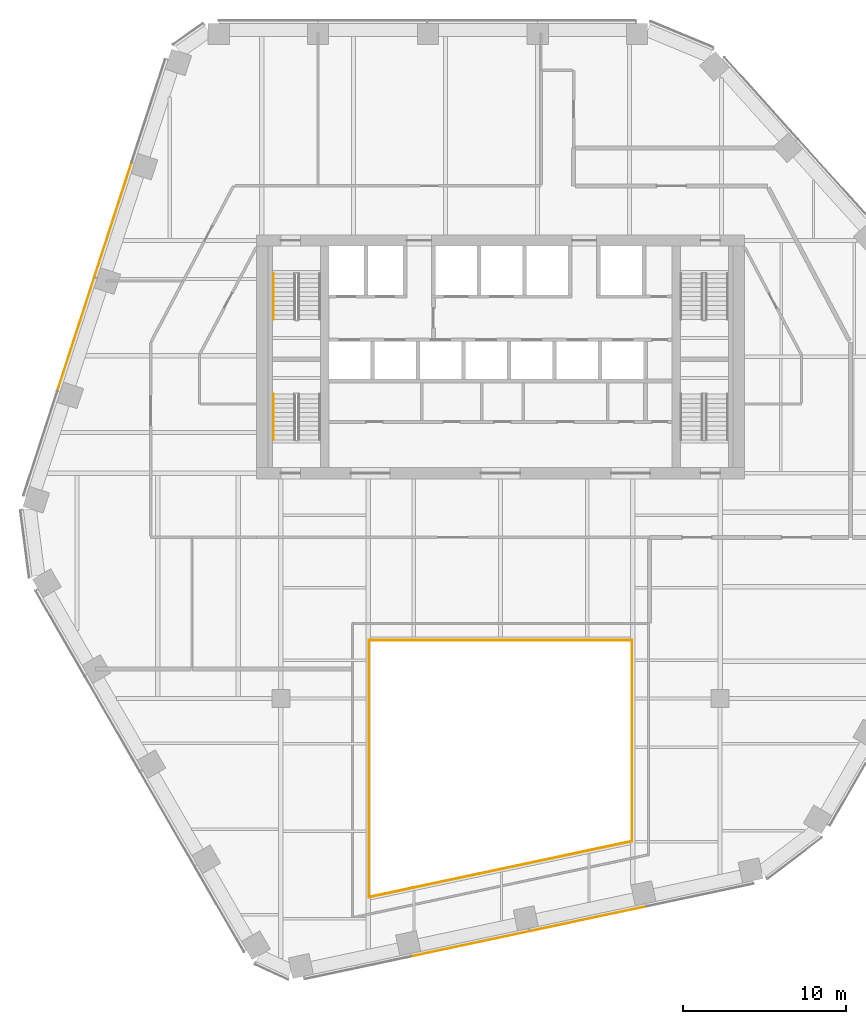
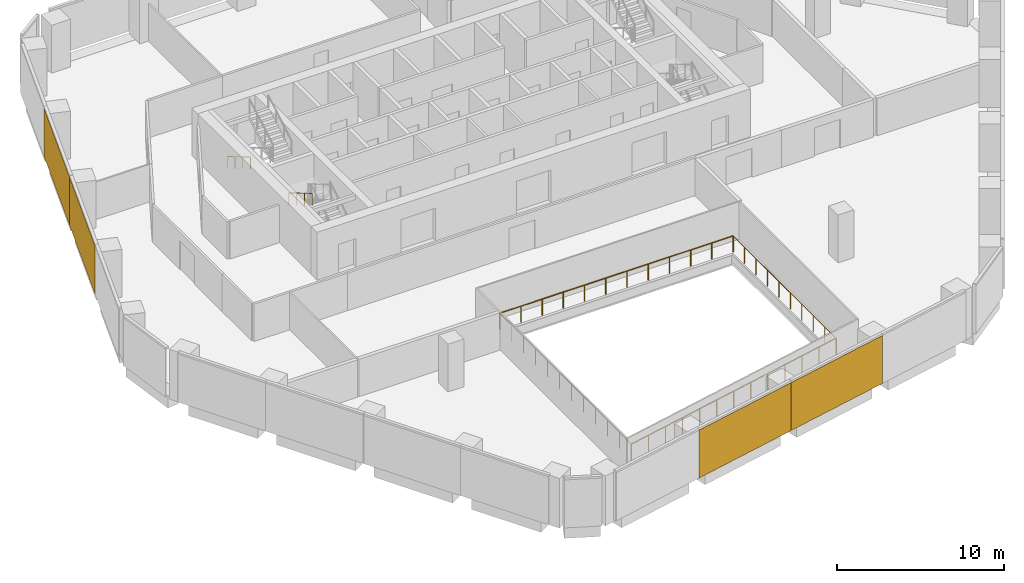
# One storey, part 14 of 16: 6 railings, 4 coverings, 2 elements without a shape of their own.
"""IFC4 building model written with IfcOpenShell, lengths in metres."""

from ifc_helpers import new_model, si_unit, direction, frame, origin, origin_2d, place, context, subcontext, project, spatial, rectangle, circle, extrude, material, layer, layer_set, type_object, element, aggregate, save


model = new_model("IFC4")

# Units and contexts
model_context = context("Model", 3, precision=1e-05, world=origin(), true_north=direction((0.0, 1.0)))
body_context = subcontext(model_context, "Body", "Model", "MODEL_VIEW")
ifc_project = project(units=[si_unit("LENGTHUNIT", "METRE"), si_unit("AREAUNIT", "SQUARE_METRE"), si_unit("VOLUMEUNIT", "CUBIC_METRE"), si_unit("PLANEANGLEUNIT", "RADIAN"), si_unit("MASSUNIT", "GRAM", prefix="KILO")], contexts=[model_context])

# Site, building, storey
site_placement = place(None, origin())
site = spatial("IfcSite", under=ifc_project, at=site_placement, CompositionType="ELEMENT")
building_placement = place(site_placement, origin())
building = spatial("IfcBuilding", under=site, at=building_placement, Name="Isthmus Gate Tower", CompositionType="ELEMENT")
storey_placement = place(building_placement, frame((0.0, 0.0, 178.10009765625)))
storey = spatial("IfcBuildingStorey", under=building, at=storey_placement, Name="L44", CompositionType="ELEMENT", Elevation=178.10009765625)

# Railings
ifc_material_1 = material(Name="Laminated toughened glass balustrade with steel rail", Category="steel")
railing_type_1 = type_object("IfcRailingType", Name="ATRIUM GUARD GLASS BALUSTRADE 1200", PredefinedType="GUARDRAIL", material=ifc_material_1)
railing_1_placement = place(storey_placement, frame((-8.080078125, -25.7099609375, 0.0)))
element("IfcRailing", 1, at=railing_1_placement, inside=storey, type_object=railing_type_1, Name="L44 atrium guard", PredefinedType="GUARDRAIL", context=body_context, shape_type="SweptSolid", body=[
    extrude(circle(Radius=0.02490234375, at=origin_2d()), frame((0.0, 0.0, 1.1748046875), z_axis=(0.0, 1.0, 0.0), x_axis=(-1.0, 0.0, 0.0)), (0.0, 0.0, 1.0), 15.7900390625),
    extrude(circle(Radius=0.02490234375, at=origin_2d()), origin(), (0.0, 0.0, 1.0), 1.14990234375),
    extrude(circle(Radius=0.02490234375, at=origin_2d()), frame((0.0, 1.435546875, 0.0)), (0.0, 0.0, 1.0), 1.14990234375),
    extrude(circle(Radius=0.02490234375, at=origin_2d()), frame((0.0, 2.870849609375, 0.0)), (0.0, 0.0, 1.0), 1.14990234375),
    extrude(circle(Radius=0.02490234375, at=origin_2d()), frame((0.0, 4.306396484375, 0.0)), (0.0, 0.0, 1.0), 1.14990234375),
    extrude(circle(Radius=0.02490234375, at=origin_2d()), frame((0.0, 5.741943359375, 0.0)), (0.0, 0.0, 1.0), 1.14990234375),
    extrude(circle(Radius=0.02490234375, at=origin_2d()), frame((0.0, 7.17724609375, 0.0)), (0.0, 0.0, 1.0), 1.14990234375),
    extrude(circle(Radius=0.02490234375, at=origin_2d()), frame((0.0, 8.61279296875, 0.0)), (0.0, 0.0, 1.0), 1.14990234375),
    extrude(circle(Radius=0.02490234375, at=origin_2d()), frame((0.0, 10.048095703125, 0.0)), (0.0, 0.0, 1.0), 1.14990234375),
    extrude(circle(Radius=0.02490234375, at=origin_2d()), frame((0.0, 11.483642578125, 0.0)), (0.0, 0.0, 1.0), 1.14990234375),
    extrude(circle(Radius=0.02490234375, at=origin_2d()), frame((0.0, 12.919189453125, 0.0)), (0.0, 0.0, 1.0), 1.14990234375),
    extrude(circle(Radius=0.02490234375, at=origin_2d()), frame((0.0, 14.3544921875, 0.0)), (0.0, 0.0, 1.0), 1.14990234375),
    extrude(circle(Radius=0.02490234375, at=origin_2d()), frame((0.0, 15.7900390625, 0.0)), (0.0, 0.0, 1.0), 1.14990234375),
])
railing_2_placement = place(storey_placement, frame((-8.080078125, -9.919921875, 0.0)))
element("IfcRailing", 2, at=railing_2_placement, inside=storey, type_object=railing_type_1, Name="L44 atrium guard", PredefinedType="GUARDRAIL", context=body_context, shape_type="SweptSolid", body=[
    extrude(circle(Radius=0.02490234375, at=origin_2d()), frame((0.0, 0.0, 1.1748046875), z_axis=(1.0, 0.0, 0.0), x_axis=(0.0, 1.0, 0.0)), (0.0, 0.0, 1.0), 16.16015625),
    extrude(circle(Radius=0.02490234375, at=origin_2d()), origin(), (0.0, 0.0, 1.0), 1.14990234375),
    extrude(circle(Radius=0.02490234375, at=origin_2d()), frame((1.468994140625, 0.0, 0.0)), (0.0, 0.0, 1.0), 1.14990234375),
    extrude(circle(Radius=0.02490234375, at=origin_2d()), frame((2.938232421875, 0.0, 0.0)), (0.0, 0.0, 1.0), 1.14990234375),
    extrude(circle(Radius=0.02490234375, at=origin_2d()), frame((4.4072265625, 0.0, 0.0)), (0.0, 0.0, 1.0), 1.14990234375),
    extrude(circle(Radius=0.02490234375, at=origin_2d()), frame((5.87646484375, 0.0, 0.0)), (0.0, 0.0, 1.0), 1.14990234375),
    extrude(circle(Radius=0.02490234375, at=origin_2d()), frame((7.345458984375, 0.0, 0.0)), (0.0, 0.0, 1.0), 1.14990234375),
    extrude(circle(Radius=0.02490234375, at=origin_2d()), frame((8.814697265625, 0.0, 0.0)), (0.0, 0.0, 1.0), 1.14990234375),
    extrude(circle(Radius=0.02490234375, at=origin_2d()), frame((10.28369140625, 0.0, 0.0)), (0.0, 0.0, 1.0), 1.14990234375),
    extrude(circle(Radius=0.02490234375, at=origin_2d()), frame((11.7529296875, 0.0, 0.0)), (0.0, 0.0, 1.0), 1.14990234375),
    extrude(circle(Radius=0.02490234375, at=origin_2d()), frame((13.221923828125, 0.0, 0.0)), (0.0, 0.0, 1.0), 1.14990234375),
    extrude(circle(Radius=0.02490234375, at=origin_2d()), frame((14.691162109375, 0.0, 0.0)), (0.0, 0.0, 1.0), 1.14990234375),
    extrude(circle(Radius=0.02490234375, at=origin_2d()), frame((16.16015625, 0.0, 0.0)), (0.0, 0.0, 1.0), 1.14990234375),
])
railing_3_placement = place(storey_placement, frame((8.080078125, -9.919921875, 0.0)))
element("IfcRailing", 3, at=railing_3_placement, inside=storey, type_object=railing_type_1, Name="L44 atrium guard", PredefinedType="GUARDRAIL", context=body_context, shape_type="SweptSolid", body=[
    extrude(circle(Radius=0.02490234375, at=origin_2d()), frame((0.0, 0.0, 1.1748046875), z_axis=(0.0, -1.0, 0.0), x_axis=(1.0, 0.0, 0.0)), (0.0, 0.0, 1.0), 12.35498046875),
    extrude(circle(Radius=0.02490234375, at=origin_2d()), origin(), (0.0, 0.0, 1.0), 1.14990234375),
    extrude(circle(Radius=0.02490234375, at=origin_2d()), frame((0.0, -1.372802734375, 0.0)), (0.0, 0.0, 1.0), 1.14990234375),
    extrude(circle(Radius=0.02490234375, at=origin_2d()), frame((0.0, -2.74560546875, 0.0)), (0.0, 0.0, 1.0), 1.14990234375),
    extrude(circle(Radius=0.02490234375, at=origin_2d()), frame((0.0, -4.118408203125, 0.0)), (0.0, 0.0, 1.0), 1.14990234375),
    extrude(circle(Radius=0.02490234375, at=origin_2d()), frame((0.0, -5.4912109375, 0.0)), (0.0, 0.0, 1.0), 1.14990234375),
    extrude(circle(Radius=0.02490234375, at=origin_2d()), frame((0.0, -6.86376953125, 0.0)), (0.0, 0.0, 1.0), 1.14990234375),
    extrude(circle(Radius=0.02490234375, at=origin_2d()), frame((0.0, -8.236572265625, 0.0)), (0.0, 0.0, 1.0), 1.14990234375),
    extrude(circle(Radius=0.02490234375, at=origin_2d()), frame((0.0, -9.609375, 0.0)), (0.0, 0.0, 1.0), 1.14990234375),
    extrude(circle(Radius=0.02490234375, at=origin_2d()), frame((0.0, -10.982177734375, 0.0)), (0.0, 0.0, 1.0), 1.14990234375),
    extrude(circle(Radius=0.02490234375, at=origin_2d()), frame((0.0, -12.35498046875, 0.0)), (0.0, 0.0, 1.0), 1.14990234375),
])
railing_4_placement = place(storey_placement, frame((8.080078125, -22.27490234375, 0.0)))
element("IfcRailing", 4, at=railing_4_placement, inside=storey, type_object=railing_type_1, Name="L44 atrium guard", PredefinedType="GUARDRAIL", context=body_context, shape_type="SweptSolid", body=[
    extrude(circle(Radius=0.02490234375, at=origin_2d()), frame((0.0, 0.0, 1.1748046875), z_axis=(-0.978146230105, -0.207918139013, 0.0), x_axis=(0.207918139013, -0.978146230105, 0.0)), (0.0, 0.0, 1.0), 16.521240234375),
    extrude(circle(Radius=0.02490234375, at=origin_2d()), origin(), (0.0, 0.0, 1.0), 1.14990234375),
    extrude(circle(Radius=0.02490234375, at=origin_2d()), frame((-1.3466796875, -0.2861328125, 0.0)), (0.0, 0.0, 1.0), 1.14990234375),
    extrude(circle(Radius=0.02490234375, at=origin_2d()), frame((-2.693359375, -0.572509765625, 0.0)), (0.0, 0.0, 1.0), 1.14990234375),
    extrude(circle(Radius=0.02490234375, at=origin_2d()), frame((-4.0400390625, -0.85888671875, 0.0)), (0.0, 0.0, 1.0), 1.14990234375),
    extrude(circle(Radius=0.02490234375, at=origin_2d()), frame((-5.38671875, -1.14501953125, 0.0)), (0.0, 0.0, 1.0), 1.14990234375),
    extrude(circle(Radius=0.02490234375, at=origin_2d()), frame((-6.7333984375, -1.43115234375, 0.0)), (0.0, 0.0, 1.0), 1.14990234375),
    extrude(circle(Radius=0.02490234375, at=origin_2d()), frame((-8.080078125, -1.717529296875, 0.0)), (0.0, 0.0, 1.0), 1.14990234375),
    extrude(circle(Radius=0.02490234375, at=origin_2d()), frame((-9.4267578125, -2.00390625, 0.0)), (0.0, 0.0, 1.0), 1.14990234375),
    extrude(circle(Radius=0.02490234375, at=origin_2d()), frame((-10.7734375, -2.2900390625, 0.0)), (0.0, 0.0, 1.0), 1.14990234375),
    extrude(circle(Radius=0.02490234375, at=origin_2d()), frame((-12.1201171875, -2.576171875, 0.0)), (0.0, 0.0, 1.0), 1.14990234375),
    extrude(circle(Radius=0.02490234375, at=origin_2d()), frame((-13.466796875, -2.862548828125, 0.0)), (0.0, 0.0, 1.0), 1.14990234375),
    extrude(circle(Radius=0.02490234375, at=origin_2d()), frame((-14.8134765625, -3.14892578125, 0.0)), (0.0, 0.0, 1.0), 1.14990234375),
    extrude(circle(Radius=0.02490234375, at=origin_2d()), frame((-16.16015625, -3.43505859375, 0.0)), (0.0, 0.0, 1.0), 1.14990234375),
])

# Curtain wall, coverings
ifc_material_2 = material(Name="Aluminium, pale champagne anodised", Category="aluminium")
ifc_layer_1 = layer(ifc_material_2, 0.199951171875)
ifc_layer_set_1 = layer_set([ifc_layer_1], Name="CW-1 UNITISED CURTAIN WALL 200 DEEP")
curtain_wall_type = type_object("IfcCurtainWallType", Name="CW-1 UNITISED CURTAIN WALL 200 DEEP", PredefinedType="NOTDEFINED", material=ifc_layer_set_1)
curtain_wall_1_placement = place(storey_placement, origin())
curtain_wall_1 = element("IfcCurtainWall", 5, at=curtain_wall_1_placement, inside=storey, type_object=curtain_wall_type, Name="CW-1 NW L44", PredefinedType="NOTDEFINED")
ifc_material_3 = material(Name="Aluminium composite panel, pale champagne anodised", Category="aluminium")
ifc_layer_2 = layer(ifc_material_3, 0.035888671875)
ifc_layer_set_2 = layer_set([ifc_layer_2], Name="CW-1 PALE METAL PANEL 36")
covering_type = type_object("IfcCoveringType", Name="CW-1 PALE METAL PANEL 36", PredefinedType="CLADDING", material=ifc_layer_set_2)
covering_1_placement = place(storey_placement, frame((-23.813720703125, 15.927490234375, 0.0), z_axis=(0.0, 0.0, 1.0), x_axis=(-0.309016994375, -0.951056516295, 0.0)))
covering_1 = element("IfcCovering", 6, at=covering_1_placement, type_object=covering_type, Name="CW-1 pale metal panel", PredefinedType="CLADDING", context=body_context, shape_type="SweptSolid", body=[
    extrude(rectangle(XDim=7.390869140625, YDim=0.035888671875, at=origin_2d()), origin(), (0.0, 0.0, 1.0), 3.510009765625),
])
covering_2_placement = place(storey_placement, frame((-26.10693359375, 8.8701171875, 0.0), z_axis=(0.0, 0.0, 1.0), x_axis=(-0.309016994375, -0.951056516295, 0.0)))
covering_2 = element("IfcCovering", 7, at=covering_2_placement, type_object=covering_type, Name="CW-1 pale metal panel", PredefinedType="CLADDING", context=body_context, shape_type="SweptSolid", body=[
    extrude(rectangle(XDim=7.330810546875, YDim=0.035888671875, at=origin_2d()), origin(), (0.0, 0.0, 1.0), 3.510009765625),
])
aggregate(curtain_wall_1, [covering_1, covering_2])

curtain_wall_2_placement = place(storey_placement, origin())
curtain_wall_2 = element("IfcCurtainWall", 8, at=curtain_wall_2_placement, inside=storey, type_object=curtain_wall_type, Name="CW-1 S L44", PredefinedType="NOTDEFINED")
covering_3_placement = place(storey_placement, frame((-1.88671875, -28.587158203125, 0.0), z_axis=(0.0, 0.0, 1.0), x_axis=(0.978147600734, 0.207911690818, 0.0)))
covering_3 = element("IfcCovering", 9, at=covering_3_placement, type_object=covering_type, Name="CW-1 pale metal panel", PredefinedType="CLADDING", context=body_context, shape_type="SweptSolid", body=[
    extrude(rectangle(XDim=7.390869140625, YDim=0.035888671875, at=origin_2d()), origin(), (0.0, 0.0, 1.0), 3.510009765625),
])
covering_4_placement = place(storey_placement, frame((5.371826171875, -27.044189453125, 0.0), z_axis=(0.0, 0.0, 1.0), x_axis=(0.978147600734, 0.207911690818, 0.0)))
covering_4 = element("IfcCovering", 10, at=covering_4_placement, type_object=covering_type, Name="CW-1 pale metal panel", PredefinedType="CLADDING", context=body_context, shape_type="SweptSolid", body=[
    extrude(rectangle(XDim=7.330810546875, YDim=0.035888671875, at=origin_2d()), origin(), (0.0, 0.0, 1.0), 3.510009765625),
])
aggregate(curtain_wall_2, [covering_3, covering_4])

# Railings
ifc_material_4 = material(Name="Stainless steel handrail", Category="steel")
railing_type_2 = type_object("IfcRailingType", Name="STAIR HANDRAIL 900", PredefinedType="HANDRAIL", material=ifc_material_4)
for number, where, name in (
    (11, (-13.949951171875, 12.60009765625, 0.165771484375), "L44 ST1 stair handrail 1"),
    (12, (-13.949951171875, 5.199951171875, 1.99072265625), "L44 ST7 stair handrail 2"),
):
    element("IfcRailing", number, at=place(storey_placement, frame(where)), inside=storey, type_object=railing_type_2, Name=name, PredefinedType="HANDRAIL", context=body_context, shape_type="SweptSolid", body=[
        extrude(circle(Radius=0.02392578125, at=origin_2d()), frame((0.0, 0.0, 0.8759765625), z_axis=(0.0, -0.860306154799, 0.50977771628), x_axis=(1.0, 0.0, 0.0)), (0.0, 0.0, 1.0), 3.254638671875),
        extrude(circle(Radius=0.02099609375, at=origin_2d()), origin(), (0.0, 0.0, 1.0), 0.851806640625),
        extrude(circle(Radius=0.02099609375, at=origin_2d()), frame((0.0, -0.933349609375, 0.552978515625)), (0.0, 0.0, 1.0), 0.851806640625),
        extrude(circle(Radius=0.02099609375, at=origin_2d()), frame((0.0, -1.86669921875, 1.106201171875)), (0.0, 0.0, 1.0), 0.851806640625),
        extrude(circle(Radius=0.02099609375, at=origin_2d()), frame((0.0, -2.800048828125, 1.6591796875)), (0.0, 0.0, 1.0), 0.851806640625),
    ])

save(model, "model.ifc")
